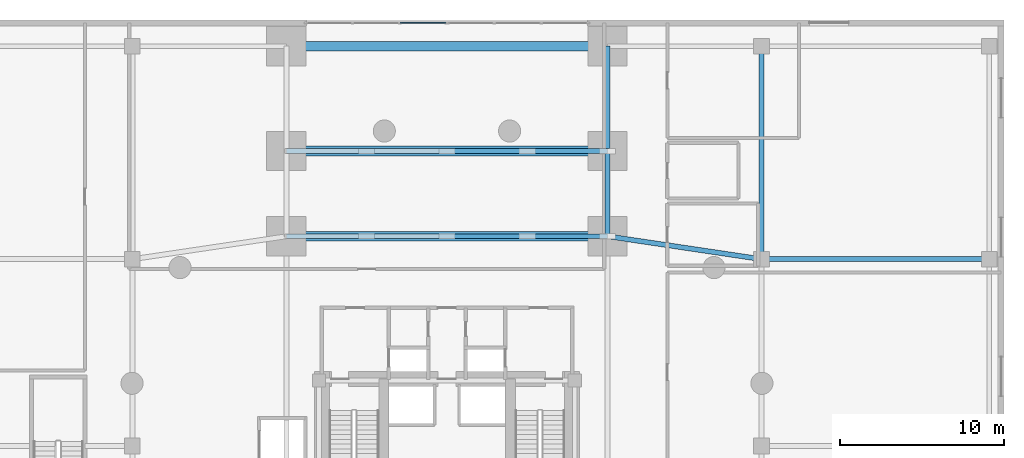
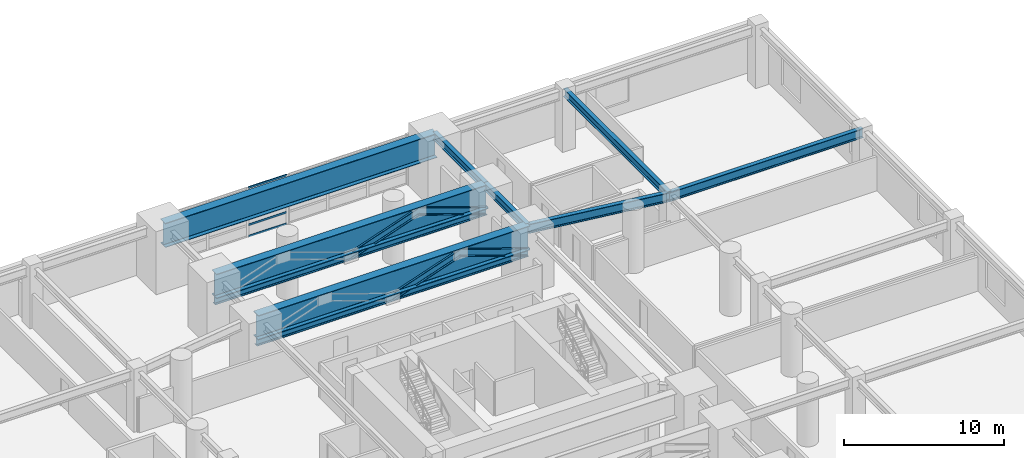
# One storey, part 11 of 17: 9 members, 8 beams, 1 element without a shape of its own.
"""IFC4 building model written with IfcOpenShell, lengths in metres."""

from ifc_helpers import new_model, si_unit, direction, frame, origin, origin_2d, place, context, subcontext, project, spatial, hollow_rectangle, i_section, extrude, material, layer, layer_set, material_profile, profile_set, type_object, element, aggregate, save


model = new_model("IFC4")

# Units and contexts
model_context = context("Model", 3, precision=1e-05, world=origin(), true_north=direction((0.0, 1.0)))
body_context = subcontext(model_context, "Body", "Model", "MODEL_VIEW")
ifc_project = project(units=[si_unit("LENGTHUNIT", "METRE"), si_unit("AREAUNIT", "SQUARE_METRE"), si_unit("VOLUMEUNIT", "CUBIC_METRE"), si_unit("PLANEANGLEUNIT", "RADIAN"), si_unit("MASSUNIT", "GRAM", prefix="KILO"), si_unit("THERMODYNAMICTEMPERATUREUNIT", "KELVIN"), si_unit("POWERUNIT", "WATT")], contexts=[model_context])

# Site, building, storey
site_placement = place(None, origin())
site = spatial("IfcSite", under=ifc_project, at=site_placement, CompositionType="ELEMENT")
building_placement = place(site_placement, origin())
building = spatial("IfcBuilding", under=site, at=building_placement, Name="Ocrelia Relay Tower", CompositionType="ELEMENT")
storey_placement = place(building_placement, frame((0.0, 0.0, 15.60009765625)))
storey = spatial("IfcBuildingStorey", under=building, at=storey_placement, Name="L03", CompositionType="ELEMENT", Elevation=15.60009765625)

# Beams
ifc_material_1 = material(Name="Steel S355", Category="steel")
ifc_material_profile_1 = material_profile(ifc_material_1, i_section(OverallWidth=0.300048828125, OverallDepth=0.60009765625, WebThickness=0.015380859375, FlangeThickness=0.030029296875, FilletRadius=0.027099609375, at=origin_2d()), Name="HEB 600")
ifc_profile_set_1 = profile_set([ifc_material_profile_1], Name="Steel S355")
beam_type_1 = type_object("IfcBeamType", Name="BM-HEB600", PredefinedType="BEAM", material=ifc_profile_set_1)
beam_1_placement = place(storey_placement, frame((53.199951171875, 37.39990234375, 4.179931640625), z_axis=(0.0, 1.0, 0.0), x_axis=(-1.0, 0.0, 0.0)))
element("IfcBeam", 1, at=beam_1_placement, inside=storey, type_object=beam_type_1, Name="L03 Podium Span Girder IE-4", PredefinedType="BEAM", context=body_context, shape_type="SweptSolid", body=[
    extrude(i_section(OverallWidth=0.300048828125, OverallDepth=0.60009765625, WebThickness=0.015380859375, FlangeThickness=0.030029296875, FilletRadius=0.027099609375, at=origin_2d()), origin(), (0.0, 0.0, 1.0), 13.0),
])
beam_2_placement = place(storey_placement, frame((43.800048828125, 38.800048828125, 4.179931640625), z_axis=(0.0, 1.0, 0.0), x_axis=(-1.0, 0.0, 0.0)))
element("IfcBeam", 2, at=beam_2_placement, inside=storey, type_object=beam_type_1, Name="L03 Pier Line Tie Girder AE-4", PredefinedType="BEAM", context=body_context, shape_type="SweptSolid", body=[
    extrude(i_section(OverallWidth=0.300048828125, OverallDepth=0.60009765625, WebThickness=0.015380859375, FlangeThickness=0.030029296875, FilletRadius=0.027099609375, at=origin_2d()), origin(), (0.0, 0.0, 1.0), 5.199951171875),
])
beam_3_placement = place(storey_placement, frame((43.800048828125, 44.0, 4.179931640625), z_axis=(0.0, 1.0, 0.0), x_axis=(-1.0, 0.0, 0.0)))
element("IfcBeam", 3, at=beam_3_placement, inside=storey, type_object=beam_type_1, Name="L03 Pier Line Tie Girder AE-5", PredefinedType="BEAM", context=body_context, shape_type="SweptSolid", body=[
    extrude(i_section(OverallWidth=0.300048828125, OverallDepth=0.60009765625, WebThickness=0.015380859375, FlangeThickness=0.030029296875, FilletRadius=0.027099609375, at=origin_2d()), origin(), (0.0, 0.0, 1.0), 6.39990234375),
])
ifc_material_profile_2 = material_profile(ifc_material_1, i_section(OverallWidth=0.300048828125, OverallDepth=0.699951171875, WebThickness=0.01708984375, FlangeThickness=0.031982421875, FilletRadius=0.027099609375, at=origin_2d()), Name="HEB 700")
ifc_profile_set_2 = profile_set([ifc_material_profile_2], Name="Steel S355")
beam_type_2 = type_object("IfcBeamType", Name="BM-HEB700", PredefinedType="BEAM", material=ifc_profile_set_2)
beam_4_placement = place(storey_placement, frame((43.800048828125, 38.800048828125, 4.1298828125), z_axis=(0.989087708935, -0.14732787935, 0.0), x_axis=(0.14732787935, 0.989087708935, 0.0)))
element("IfcBeam", 4, at=beam_4_placement, inside=storey, type_object=beam_type_2, Name="L03 East Inner Podium Girder M2", PredefinedType="BEAM", context=body_context, shape_type="SweptSolid", body=[
    extrude(i_section(OverallWidth=0.300048828125, OverallDepth=0.699951171875, WebThickness=0.01708984375, FlangeThickness=0.031982421875, FilletRadius=0.027099609375, at=origin_2d()), origin(), (0.0, 0.0, 1.0), 9.503662109375),
])
beam_5_placement = place(storey_placement, frame((53.199951171875, 37.39990234375, 4.1298828125), z_axis=(1.0, 0.0, 0.0), x_axis=(0.0, 1.0, 0.0)))
element("IfcBeam", 5, at=beam_5_placement, inside=storey, type_object=beam_type_2, Name="L03 East Outer Podium Girder M2", PredefinedType="BEAM", context=body_context, shape_type="SweptSolid", body=[
    extrude(i_section(OverallWidth=0.300048828125, OverallDepth=0.699951171875, WebThickness=0.01708984375, FlangeThickness=0.031982421875, FilletRadius=0.027099609375, at=origin_2d()), origin(), (0.0, 0.0, 1.0), 13.900146484375),
])
ifc_material_profile_3 = material_profile(ifc_material_1, i_section(OverallWidth=0.60009765625, OverallDepth=1.85009765625, WebThickness=0.028076171875, FlangeThickness=0.0400390625, FilletRadius=0.02001953125, at=origin_2d()), Name="WPG 1850x600")
ifc_profile_set_3 = profile_set([ifc_material_profile_3], Name="Steel S355")
beam_type_3 = type_object("IfcBeamType", Name="BM-WPG1650", PredefinedType="T_BEAM", material=ifc_profile_set_3)
for number, where, z_axis, x_axis, name in (
    (6, (24.199951171875, 38.800048828125, 3.554931640625), (1.0, 0.0, 0.0), (0.0, 1.0, 0.0), "L03 Portal Arch Span Transfer Girder G5"),
    (7, (24.199951171875, 44.0, 3.554931640625), (1.0, 0.0, 0.0), (0.0, 1.0, 0.0), "L03 Portal Arch Span Transfer Girder G6"),
    (8, (24.199951171875, 50.39990234375, 3.554931640625), (1.0, 0.0, 0.0), (0.0, 1.0, 0.0), "L03 Portal Arch Span Transfer Girder G7"),
):
    element("IfcBeam", number, at=place(storey_placement, frame(where, z_axis=z_axis, x_axis=x_axis)), inside=storey, type_object=beam_type_3, Name=name, PredefinedType="T_BEAM", context=body_context, shape_type="SweptSolid", body=[
        extrude(i_section(OverallWidth=0.60009765625, OverallDepth=1.85009765625, WebThickness=0.028076171875, FlangeThickness=0.0400390625, FilletRadius=0.02001953125, at=origin_2d()), origin(), (0.0, 0.0, 1.0), 19.60009765625),
    ])

# Curtain wall, members
ifc_material_2 = material(Name="Aluminium and solar-control low-E glass", Category="aluminium")
ifc_layer = layer(ifc_material_2, 0.179931640625, Name="Aluminium and solar-control low-E glass")
ifc_layer_set = layer_set([ifc_layer], Name="Aluminium and solar-control low-E glass")
curtain_wall_type = type_object("IfcCurtainWallType", Name="CW-SYS-POD-GALL", PredefinedType="NOTDEFINED", material=ifc_layer_set)
curtain_wall_placement = place(storey_placement, origin())
curtain_wall = element("IfcCurtainWall", 9, at=curtain_wall_placement, inside=storey, type_object=curtain_wall_type, Name="L03 North Over-Arch Curtain Wall West", PredefinedType="NOTDEFINED")
ifc_material_3 = material(Name="Anodised bronze aluminium", Category="aluminium")
ifc_material_profile_4 = material_profile(ifc_material_3, hollow_rectangle(XDim=0.06494140625, YDim=0.139892578125, WallThickness=0.0048828125, at=origin_2d()), Name="CW-TRN-140x65")
ifc_profile_set_4 = profile_set([ifc_material_profile_4], Name="Anodised bronze aluminium")
member_type_1 = type_object("IfcMemberType", Name="CW-SYS-POD-GALL-TRN", PredefinedType="USERDEFINED", material=ifc_profile_set_4)
member_1_placement = place(storey_placement, frame((31.151611328125, 51.820068359375, 0.032470703125), z_axis=(1.0, 0.0, 0.0), x_axis=(0.0, 1.0, 0.0)))
member_1 = element("IfcMember", 10, at=member_1_placement, type_object=member_type_1, Name="CW-PG transom 3.1", ObjectType="TRANSOM", PredefinedType="USERDEFINED", context=body_context, shape_type="SweptSolid", body=[
    extrude(hollow_rectangle(XDim=0.06494140625, YDim=0.139892578125, WallThickness=0.0048828125, at=origin_2d()), origin(), (0.0, 0.0, 1.0), 2.7783203125),
])
member_2_placement = place(storey_placement, frame((31.151611328125, 51.820068359375, 0.89990234375), z_axis=(1.0, 0.0, 0.0), x_axis=(0.0, 1.0, 0.0)))
member_2 = element("IfcMember", 11, at=member_2_placement, type_object=member_type_1, Name="CW-PG transom 3.2", ObjectType="TRANSOM", PredefinedType="USERDEFINED", context=body_context, shape_type="SweptSolid", body=[
    extrude(hollow_rectangle(XDim=0.06494140625, YDim=0.139892578125, WallThickness=0.0048828125, at=origin_2d()), origin(), (0.0, 0.0, 1.0), 2.7783203125),
])
member_3_placement = place(storey_placement, frame((31.151611328125, 51.820068359375, 3.727294921875), z_axis=(1.0, 0.0, 0.0), x_axis=(0.0, 1.0, 0.0)))
member_3 = element("IfcMember", 12, at=member_3_placement, type_object=member_type_1, Name="CW-PG transom 3.3", ObjectType="TRANSOM", PredefinedType="USERDEFINED", context=body_context, shape_type="SweptSolid", body=[
    extrude(hollow_rectangle(XDim=0.06494140625, YDim=0.139892578125, WallThickness=0.0048828125, at=origin_2d()), origin(), (0.0, 0.0, 1.0), 2.7783203125),
])
aggregate(curtain_wall, [member_1, member_2, member_3])

# Members
ifc_material_profile_5 = material_profile(ifc_material_1, i_section(OverallWidth=0.300048828125, OverallDepth=0.550048828125, WebThickness=0.014892578125, FlangeThickness=0.029052734375, FilletRadius=0.027099609375, at=origin_2d()), Name="HEB 550")
ifc_profile_set_5 = profile_set([ifc_material_profile_5], Name="Steel S355")
member_type_2 = type_object("IfcMemberType", Name="MB-ARCH-DIAG", PredefinedType="BRACE", material=ifc_profile_set_5)
member_4_placement = place(storey_placement, frame((34.0, 38.800048828125, 2.349853515625), z_axis=(0.945948011629, 0.0, 0.324318299353), x_axis=(0.0, 1.0, 0.0)))
element("IfcMember", 13, at=member_4_placement, inside=storey, type_object=member_type_2, Name="L03 Warren Transfer Truss Diagonal NI-3", PredefinedType="BRACE", context=body_context, shape_type="SweptSolid", body=[
    extrude(i_section(OverallWidth=0.300048828125, OverallDepth=0.550048828125, WebThickness=0.014892578125, FlangeThickness=0.029052734375, FilletRadius=0.027099609375, at=origin_2d()), origin(), (0.0, 0.0, 1.0), 5.179931640625),
])
member_5_placement = place(storey_placement, frame((38.89990234375, 38.800048828125, 4.02978515625), z_axis=(0.945952968798, 0.0, -0.324303840282), x_axis=(0.0, 1.0, 0.0)))
element("IfcMember", 14, at=member_5_placement, inside=storey, type_object=member_type_2, Name="L03 Warren Transfer Truss Diagonal NI-4", PredefinedType="BRACE", context=body_context, shape_type="SweptSolid", body=[
    extrude(i_section(OverallWidth=0.300048828125, OverallDepth=0.550048828125, WebThickness=0.014892578125, FlangeThickness=0.029052734375, FilletRadius=0.027099609375, at=origin_2d()), origin(), (0.0, 0.0, 1.0), 5.18017578125),
])
member_6_placement = place(storey_placement, frame((34.0, 44.0, 2.349853515625), z_axis=(0.945948011629, 0.0, 0.324318299353), x_axis=(0.0, 1.0, 0.0)))
element("IfcMember", 15, at=member_6_placement, inside=storey, type_object=member_type_2, Name="L03 Warren Transfer Truss Diagonal N-3", PredefinedType="BRACE", context=body_context, shape_type="SweptSolid", body=[
    extrude(i_section(OverallWidth=0.300048828125, OverallDepth=0.550048828125, WebThickness=0.014892578125, FlangeThickness=0.029052734375, FilletRadius=0.027099609375, at=origin_2d()), origin(), (0.0, 0.0, 1.0), 5.179931640625),
])
member_7_placement = place(storey_placement, frame((38.89990234375, 44.0, 4.02978515625), z_axis=(0.945952968798, 0.0, -0.324303840282), x_axis=(0.0, 1.0, 0.0)))
element("IfcMember", 16, at=member_7_placement, inside=storey, type_object=member_type_2, Name="L03 Warren Transfer Truss Diagonal N-4", PredefinedType="BRACE", context=body_context, shape_type="SweptSolid", body=[
    extrude(i_section(OverallWidth=0.300048828125, OverallDepth=0.550048828125, WebThickness=0.014892578125, FlangeThickness=0.029052734375, FilletRadius=0.027099609375, at=origin_2d()), origin(), (0.0, 0.0, 1.0), 5.18017578125),
])
ifc_material_profile_6 = material_profile(ifc_material_1, i_section(OverallWidth=0.300048828125, OverallDepth=0.60009765625, WebThickness=0.015380859375, FlangeThickness=0.030029296875, FilletRadius=0.027099609375, at=origin_2d()), Name="HEB 600")
ifc_profile_set_6 = profile_set([ifc_material_profile_6], Name="Steel S355")
member_type_3 = type_object("IfcMemberType", Name="MB-TRUSS-CHORD", PredefinedType="CHORD", material=ifc_profile_set_6)
for number, where, z_axis, x_axis, name in (
    (17, (24.199951171875, 38.800048828125, 2.349853515625), (1.0, 0.0, 0.0), (0.0, 1.0, 0.0), "L03 Warren Transfer Truss Chord NI"),
    (18, (24.199951171875, 44.0, 2.349853515625), (1.0, 0.0, 0.0), (0.0, 1.0, 0.0), "L03 Warren Transfer Truss Chord N"),
):
    element("IfcMember", number, at=place(storey_placement, frame(where, z_axis=z_axis, x_axis=x_axis)), inside=storey, type_object=member_type_3, Name=name, PredefinedType="CHORD", context=body_context, shape_type="SweptSolid", body=[
        extrude(i_section(OverallWidth=0.300048828125, OverallDepth=0.60009765625, WebThickness=0.015380859375, FlangeThickness=0.030029296875, FilletRadius=0.027099609375, at=origin_2d()), origin(), (0.0, 0.0, 1.0), 19.60009765625),
    ])

save(model, "model.ifc")
